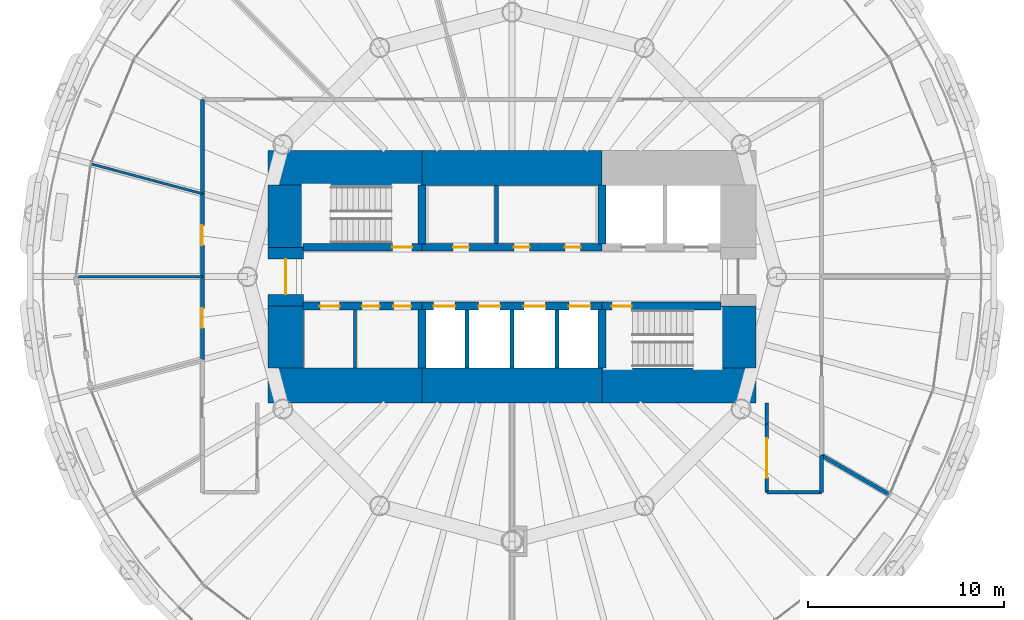
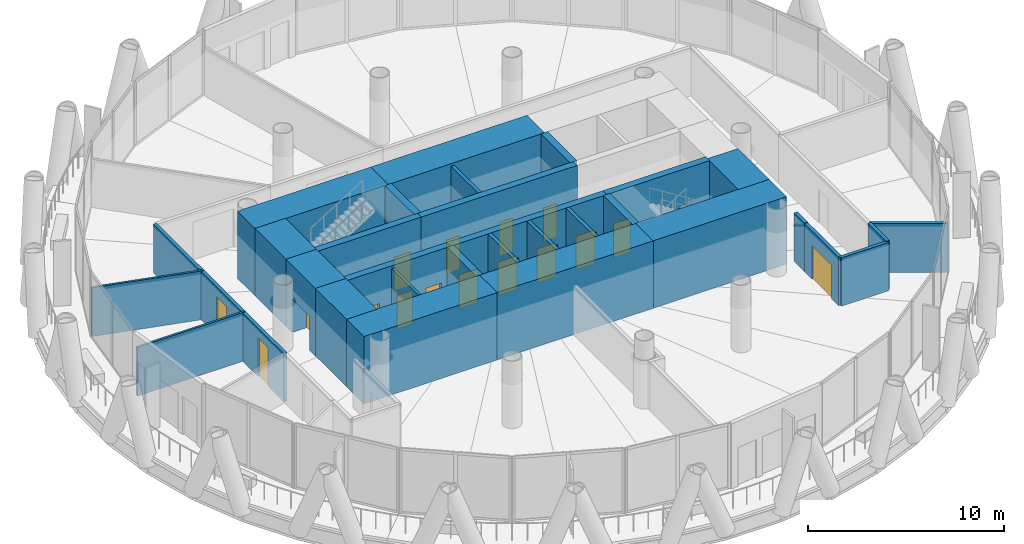
# One storey, part 10 of 15: 33 walls, 16 doors, 16 openings.
"""IFC4 building model written with IfcOpenShell, lengths in metres."""

from ifc_helpers import new_model, si_unit, direction, frame, frame_2d, origin, place, context, subcontext, project, spatial, rectangle, extrude, material, layer, layer_set, type_object, element, fill, save


model = new_model("IFC4")

# Units and contexts
model_context = context("Model", 3, precision=1e-05, world=origin(), true_north=direction((0.0, 1.0)))
body_context = subcontext(model_context, "Body", "Model", "MODEL_VIEW")
ifc_project = project(units=[si_unit("LENGTHUNIT", "METRE"), si_unit("AREAUNIT", "SQUARE_METRE"), si_unit("VOLUMEUNIT", "CUBIC_METRE"), si_unit("PLANEANGLEUNIT", "RADIAN"), si_unit("MASSUNIT", "GRAM", prefix="KILO")], contexts=[model_context])

# Site, building, storey
site_placement = place(None, origin())
site = spatial("IfcSite", under=ifc_project, at=site_placement, CompositionType="ELEMENT")
building_placement = place(site_placement, origin())
building = spatial("IfcBuilding", under=site, at=building_placement, Name="Qaws Media Tower", CompositionType="ELEMENT")
storey_placement = place(building_placement, frame((0.0, 0.0, 164.60009765625)))
storey = spatial("IfcBuildingStorey", under=building, at=storey_placement, Name="L37", CompositionType="ELEMENT", Elevation=164.60009765625)

# Wall, opening, door
ifc_material_1 = material(Name="Concrete C60/75", Category="concrete")
ifc_layer_1 = layer(ifc_material_1, 0.39990234375)
ifc_layer_set_1 = layer_set([ifc_layer_1], Name="Core inner wall 400")
wall_type_1 = type_object("IfcWallType", Name="Core inner wall 400", PredefinedType="SHEAR", material=ifc_layer_set_1)
wall_1_placement = place(storey_placement, frame((49.330078125, 51.5, 0.0), z_axis=(0.0, 0.0, 1.0), x_axis=(1.0, 0.0, 0.0)))
wall_1 = element("IfcWall", 1, at=wall_1_placement, inside=storey, type_object=wall_type_1, Name="W321 SW4 core wall SPNW L37", PredefinedType="SHEAR", context=body_context, shape_type="SweptSolid", body=[
    extrude(rectangle(XDim=6.06982421875, YDim=0.39990234375, at=frame_2d((3.034912109375, 0.0))), origin(), (0.0, 0.0, 1.0), 4.199951171875),
])
opening_1_placement = place(wall_1_placement, frame((4.570068359375, 0.0, 0.0)))
opening_1 = element("IfcOpeningElement", 2, at=opening_1_placement, cuts=wall_1, Name="Opening D1", PredefinedType="OPENING", context=body_context, shape_type="SweptSolid", body=[
    extrude(rectangle(XDim=1.0, YDim=2.10009765625, at=frame_2d((0.5, 1.050048828125))), frame((0.0, 0.2099609375, 0.0), z_axis=(0.0, -1.0, 0.0), x_axis=(1.0, 0.0, 0.0)), (0.0, 0.0, 1.0), 0.419921875),
])
ifc_material_2 = material(Name="Steel, fire rated", Category="steel")
door_type_1 = type_object("IfcDoorType", Name="Stair door 1000 FD120", OperationType="SINGLE_SWING_LEFT", PredefinedType="DOOR", material=ifc_material_2)
door_1_placement = place(opening_1_placement, origin())
door_1 = element("IfcDoor", 3, at=door_1_placement, inside=storey, type_object=door_type_1, Name="D1 stair S1 door L37 in wall W321", OperationType="SINGLE_SWING_LEFT", OverallHeight=2.10009765625, OverallWidth=1.0, PredefinedType="DOOR", context=body_context, shape_type="SweptSolid", body=[
    extrude(rectangle(XDim=1.0, YDim=2.10009765625, at=frame_2d((0.5, 1.050048828125))), frame((0.0, 0.02490234375, 0.0), z_axis=(0.0, -1.0, 0.0), x_axis=(1.0, 0.0, 0.0)), (0.0, 0.0, 1.0), 0.050048828125),
])
fill(opening_1, door_1)

# Wall, openings, doors
wall_2_placement = place(storey_placement, frame((55.39990234375, 51.5, 0.0), z_axis=(0.0, 0.0, 1.0), x_axis=(1.0, 0.0, 0.0)))
wall_2 = element("IfcWall", 4, at=wall_2_placement, inside=storey, type_object=wall_type_1, Name="W314 SW4 core wall SPN L37", PredefinedType="SHEAR", context=body_context, shape_type="SweptSolid", body=[
    extrude(rectangle(XDim=9.2001953125, YDim=0.39990234375, at=frame_2d((4.60009765625, 0.0))), origin(), (0.0, 0.0, 1.0), 4.199951171875),
])
opening_2_placement = place(wall_2_placement, frame((1.60009765625, 0.0, 0.0)))
opening_2 = element("IfcOpeningElement", 5, at=opening_2_placement, cuts=wall_2, Name="Opening D23", PredefinedType="OPENING", context=body_context, shape_type="SweptSolid", body=[
    extrude(rectangle(XDim=0.800048828125, YDim=2.10009765625, at=frame_2d((0.39990234375, 1.050048828125))), frame((0.0, 0.2099609375, 0.0), z_axis=(0.0, -1.0, 0.0), x_axis=(1.0, 0.0, 0.0)), (0.0, 0.0, 1.0), 0.419921875),
])
opening_3_placement = place(wall_2_placement, frame((4.699951171875, 0.0, 0.0)))
opening_3 = element("IfcOpeningElement", 6, at=opening_3_placement, cuts=wall_2, Name="Opening D23", PredefinedType="OPENING", context=body_context, shape_type="SweptSolid", body=[
    extrude(rectangle(XDim=0.800048828125, YDim=2.10009765625, at=frame_2d((0.39990234375, 1.050048828125))), frame((0.0, 0.2099609375, 0.0), z_axis=(0.0, -1.0, 0.0), x_axis=(1.0, 0.0, 0.0)), (0.0, 0.0, 1.0), 0.419921875),
])
opening_4_placement = place(wall_2_placement, frame((7.300048828125, 0.0, 0.0)))
opening_4 = element("IfcOpeningElement", 7, at=opening_4_placement, cuts=wall_2, Name="Opening D23", PredefinedType="OPENING", context=body_context, shape_type="SweptSolid", body=[
    extrude(rectangle(XDim=0.800048828125, YDim=2.10009765625, at=frame_2d((0.39990234375, 1.050048828125))), frame((0.0, 0.2099609375, 0.0), z_axis=(0.0, -1.0, 0.0), x_axis=(1.0, 0.0, 0.0)), (0.0, 0.0, 1.0), 0.419921875),
])
ifc_material_3 = material(Name="Steel, fire rated", Category="steel")
door_type_2 = type_object("IfcDoorType", Name="Core room door 800x2100", OperationType="SINGLE_SWING_LEFT", PredefinedType="DOOR", material=ifc_material_3)
door_2_placement = place(opening_2_placement, origin())
door_2 = element("IfcDoor", 8, at=door_2_placement, inside=storey, type_object=door_type_2, Name="D23 Ladies toilets door L37 in wall W314", OperationType="SINGLE_SWING_LEFT", OverallHeight=2.10009765625, OverallWidth=0.800048828125, PredefinedType="DOOR", context=body_context, shape_type="SweptSolid", body=[
    extrude(rectangle(XDim=0.800048828125, YDim=2.10009765625, at=frame_2d((0.39990234375, 1.050048828125))), frame((0.0, 0.02490234375, 0.0), z_axis=(0.0, -1.0, 0.0), x_axis=(1.0, 0.0, 0.0)), (0.0, 0.0, 1.0), 0.050048828125),
])
fill(opening_2, door_2)
door_3_placement = place(opening_3_placement, origin())
door_3 = element("IfcDoor", 9, at=door_3_placement, inside=storey, type_object=door_type_2, Name="D23 Gents toilets door L37 2 in wall W314", OperationType="SINGLE_SWING_LEFT", OverallHeight=2.10009765625, OverallWidth=0.800048828125, PredefinedType="DOOR", context=body_context, shape_type="SweptSolid", body=[
    extrude(rectangle(XDim=0.800048828125, YDim=2.10009765625, at=frame_2d((0.39990234375, 1.050048828125))), frame((0.0, 0.02490234375, 0.0), z_axis=(0.0, -1.0, 0.0), x_axis=(1.0, 0.0, 0.0)), (0.0, 0.0, 1.0), 0.050048828125),
])
fill(opening_3, door_3)
door_4_placement = place(opening_4_placement, origin())
door_4 = element("IfcDoor", 10, at=door_4_placement, inside=storey, type_object=door_type_2, Name="D23 Gents toilets door L37 3 in wall W314", OperationType="SINGLE_SWING_LEFT", OverallHeight=2.10009765625, OverallWidth=0.800048828125, PredefinedType="DOOR", context=body_context, shape_type="SweptSolid", body=[
    extrude(rectangle(XDim=0.800048828125, YDim=2.10009765625, at=frame_2d((0.39990234375, 1.050048828125))), frame((0.0, 0.02490234375, 0.0), z_axis=(0.0, -1.0, 0.0), x_axis=(1.0, 0.0, 0.0)), (0.0, 0.0, 1.0), 0.050048828125),
])
fill(opening_4, door_4)

wall_3_placement = place(storey_placement, frame((49.330078125, 48.5, 0.0), z_axis=(0.0, 0.0, 1.0), x_axis=(1.0, 0.0, 0.0)))
wall_3 = element("IfcWall", 11, at=wall_3_placement, inside=storey, type_object=wall_type_1, Name="W320 SW4 core wall SPSW L37", PredefinedType="SHEAR", context=body_context, shape_type="SweptSolid", body=[
    extrude(rectangle(XDim=6.06982421875, YDim=0.39990234375, at=frame_2d((3.034912109375, 0.0))), origin(), (0.0, 0.0, 1.0), 4.199951171875),
])
opening_5_placement = place(wall_3_placement, frame((0.8701171875, 0.0, 0.0)))
opening_5 = element("IfcOpeningElement", 12, at=opening_5_placement, cuts=wall_3, Name="Opening D4", PredefinedType="OPENING", context=body_context, shape_type="SweptSolid", body=[
    extrude(rectangle(XDim=1.0, YDim=2.10009765625, at=frame_2d((0.5, 1.050048828125))), frame((0.0, 0.2099609375, 0.0), z_axis=(0.0, -1.0, 0.0), x_axis=(1.0, 0.0, 0.0)), (0.0, 0.0, 1.0), 0.419921875),
])
opening_6_placement = place(wall_3_placement, frame((3.02001953125, 0.0, 0.0)))
opening_6 = element("IfcOpeningElement", 13, at=opening_6_placement, cuts=wall_3, Name="Opening D3", PredefinedType="OPENING", context=body_context, shape_type="SweptSolid", body=[
    extrude(rectangle(XDim=0.89990234375, YDim=2.10009765625, at=frame_2d((0.449951171875, 1.050048828125))), frame((0.0, 0.2099609375, 0.0), z_axis=(0.0, -1.0, 0.0), x_axis=(1.0, 0.0, 0.0)), (0.0, 0.0, 1.0), 0.419921875),
])
opening_7_placement = place(wall_3_placement, frame((4.6201171875, 0.0, 0.0)))
opening_7 = element("IfcOpeningElement", 14, at=opening_7_placement, cuts=wall_3, Name="Opening D3", PredefinedType="OPENING", context=body_context, shape_type="SweptSolid", body=[
    extrude(rectangle(XDim=0.89990234375, YDim=2.10009765625, at=frame_2d((0.449951171875, 1.050048828125))), frame((0.0, 0.2099609375, 0.0), z_axis=(0.0, -1.0, 0.0), x_axis=(1.0, 0.0, 0.0)), (0.0, 0.0, 1.0), 0.419921875),
])
ifc_material_4 = material(Name="Timber veneered", Category="wood")
door_type_3 = type_object("IfcDoorType", Name="Accessible WC door 1000", OperationType="SLIDING_TO_LEFT", PredefinedType="DOOR", material=ifc_material_4)
door_5_placement = place(opening_5_placement, origin())
door_5 = element("IfcDoor", 15, at=door_5_placement, inside=storey, type_object=door_type_3, Name="D4 toilet door 1 L37 in wall W320", OperationType="SLIDING_TO_LEFT", OverallHeight=2.10009765625, OverallWidth=1.0, PredefinedType="DOOR", context=body_context, shape_type="SweptSolid", body=[
    extrude(rectangle(XDim=1.0, YDim=2.10009765625, at=frame_2d((0.5, 1.050048828125))), frame((0.0, 0.02490234375, 0.0), z_axis=(0.0, -1.0, 0.0), x_axis=(1.0, 0.0, 0.0)), (0.0, 0.0, 1.0), 0.050048828125),
])
fill(opening_5, door_5)
ifc_material_5 = material(Name="Timber veneered", Category="wood")
door_type_4 = type_object("IfcDoorType", Name="Toilet door 900", OperationType="SINGLE_SWING_RIGHT", PredefinedType="DOOR", material=ifc_material_5)
door_6_placement = place(opening_6_placement, origin())
door_6 = element("IfcDoor", 16, at=door_6_placement, inside=storey, type_object=door_type_4, Name="D3 toilet door 2 L37 in wall W320", OperationType="SINGLE_SWING_RIGHT", OverallHeight=2.10009765625, OverallWidth=0.89990234375, PredefinedType="DOOR", context=body_context, shape_type="SweptSolid", body=[
    extrude(rectangle(XDim=0.89990234375, YDim=2.10009765625, at=frame_2d((0.449951171875, 1.050048828125))), frame((0.0, 0.02490234375, 0.0), z_axis=(0.0, -1.0, 0.0), x_axis=(1.0, 0.0, 0.0)), (0.0, 0.0, 1.0), 0.050048828125),
])
fill(opening_6, door_6)
door_7_placement = place(opening_7_placement, origin())
door_7 = element("IfcDoor", 17, at=door_7_placement, inside=storey, type_object=door_type_4, Name="D3 toilet door 3 L37 in wall W320", OperationType="SINGLE_SWING_RIGHT", OverallHeight=2.10009765625, OverallWidth=0.89990234375, PredefinedType="DOOR", context=body_context, shape_type="SweptSolid", body=[
    extrude(rectangle(XDim=0.89990234375, YDim=2.10009765625, at=frame_2d((0.449951171875, 1.050048828125))), frame((0.0, 0.02490234375, 0.0), z_axis=(0.0, -1.0, 0.0), x_axis=(1.0, 0.0, 0.0)), (0.0, 0.0, 1.0), 0.050048828125),
])
fill(opening_7, door_7)

wall_4_placement = place(storey_placement, frame((55.39990234375, 48.5, 0.0), z_axis=(0.0, 0.0, 1.0), x_axis=(1.0, 0.0, 0.0)))
wall_4 = element("IfcWall", 18, at=wall_4_placement, inside=storey, type_object=wall_type_1, Name="W313 SW4 core wall SPS L37", PredefinedType="SHEAR", context=body_context, shape_type="SweptSolid", body=[
    extrude(rectangle(XDim=9.2001953125, YDim=0.39990234375, at=frame_2d((4.60009765625, 0.0))), origin(), (0.0, 0.0, 1.0), 4.199951171875),
])
opening_8_placement = place(wall_4_placement, frame((0.60009765625, 0.0, 0.0)))
opening_8 = element("IfcOpeningElement", 19, at=opening_8_placement, cuts=wall_4, Name="Opening LD", PredefinedType="OPENING", context=body_context, shape_type="SweptSolid", body=[
    extrude(rectangle(XDim=1.10009765625, YDim=2.10009765625, at=frame_2d((0.550048828125, 1.050048828125))), frame((0.0, 0.2099609375, 0.0), z_axis=(0.0, -1.0, 0.0), x_axis=(1.0, 0.0, 0.0)), (0.0, 0.0, 1.0), 0.419921875),
])
opening_9_placement = place(wall_4_placement, frame((2.89990234375, 0.0, 0.0)))
opening_9 = element("IfcOpeningElement", 20, at=opening_9_placement, cuts=wall_4, Name="Opening LD", PredefinedType="OPENING", context=body_context, shape_type="SweptSolid", body=[
    extrude(rectangle(XDim=1.10009765625, YDim=2.10009765625, at=frame_2d((0.550048828125, 1.050048828125))), frame((0.0, 0.2099609375, 0.0), z_axis=(0.0, -1.0, 0.0), x_axis=(1.0, 0.0, 0.0)), (0.0, 0.0, 1.0), 0.419921875),
])
opening_10_placement = place(wall_4_placement, frame((5.199951171875, 0.0, 0.0)))
opening_10 = element("IfcOpeningElement", 21, at=opening_10_placement, cuts=wall_4, Name="Opening LD", PredefinedType="OPENING", context=body_context, shape_type="SweptSolid", body=[
    extrude(rectangle(XDim=1.10009765625, YDim=2.10009765625, at=frame_2d((0.550048828125, 1.050048828125))), frame((0.0, 0.2099609375, 0.0), z_axis=(0.0, -1.0, 0.0), x_axis=(1.0, 0.0, 0.0)), (0.0, 0.0, 1.0), 0.419921875),
])
opening_11_placement = place(wall_4_placement, frame((7.5, 0.0, 0.0)))
opening_11 = element("IfcOpeningElement", 22, at=opening_11_placement, cuts=wall_4, Name="Opening LD", PredefinedType="OPENING", context=body_context, shape_type="SweptSolid", body=[
    extrude(rectangle(XDim=1.10009765625, YDim=2.10009765625, at=frame_2d((0.550048828125, 1.050048828125))), frame((0.0, 0.2099609375, 0.0), z_axis=(0.0, -1.0, 0.0), x_axis=(1.0, 0.0, 0.0)), (0.0, 0.0, 1.0), 0.419921875),
])
ifc_material_6 = material(Name="Steel, fire rated", Category="steel")
door_type_5 = type_object("IfcDoorType", Name="Lift landing door 1100", OperationType="SLIDING_TO_LEFT", PredefinedType="DOOR", material=ifc_material_6)
door_8_placement = place(opening_8_placement, origin())
door_8 = element("IfcDoor", 23, at=door_8_placement, inside=storey, type_object=door_type_5, Name="P5 landing door L37 in wall W313", OperationType="SLIDING_TO_LEFT", OverallHeight=2.10009765625, OverallWidth=1.10009765625, PredefinedType="DOOR", context=body_context, shape_type="SweptSolid", body=[
    extrude(rectangle(XDim=1.10009765625, YDim=2.10009765625, at=frame_2d((0.550048828125, 1.050048828125))), frame((0.0, 0.02490234375, 0.0), z_axis=(0.0, -1.0, 0.0), x_axis=(1.0, 0.0, 0.0)), (0.0, 0.0, 1.0), 0.050048828125),
])
fill(opening_8, door_8)
door_9_placement = place(opening_9_placement, origin())
door_9 = element("IfcDoor", 24, at=door_9_placement, inside=storey, type_object=door_type_5, Name="P6 landing door L37 in wall W313", OperationType="SLIDING_TO_LEFT", OverallHeight=2.10009765625, OverallWidth=1.10009765625, PredefinedType="DOOR", context=body_context, shape_type="SweptSolid", body=[
    extrude(rectangle(XDim=1.10009765625, YDim=2.10009765625, at=frame_2d((0.550048828125, 1.050048828125))), frame((0.0, 0.02490234375, 0.0), z_axis=(0.0, -1.0, 0.0), x_axis=(1.0, 0.0, 0.0)), (0.0, 0.0, 1.0), 0.050048828125),
])
fill(opening_9, door_9)
door_10_placement = place(opening_10_placement, origin())
door_10 = element("IfcDoor", 25, at=door_10_placement, inside=storey, type_object=door_type_5, Name="P7 landing door L37 in wall W313", OperationType="SLIDING_TO_LEFT", OverallHeight=2.10009765625, OverallWidth=1.10009765625, PredefinedType="DOOR", context=body_context, shape_type="SweptSolid", body=[
    extrude(rectangle(XDim=1.10009765625, YDim=2.10009765625, at=frame_2d((0.550048828125, 1.050048828125))), frame((0.0, 0.02490234375, 0.0), z_axis=(0.0, -1.0, 0.0), x_axis=(1.0, 0.0, 0.0)), (0.0, 0.0, 1.0), 0.050048828125),
])
fill(opening_10, door_10)
door_11_placement = place(opening_11_placement, origin())
door_11 = element("IfcDoor", 26, at=door_11_placement, inside=storey, type_object=door_type_5, Name="P8 landing door L37 in wall W313", OperationType="SLIDING_TO_LEFT", OverallHeight=2.10009765625, OverallWidth=1.10009765625, PredefinedType="DOOR", context=body_context, shape_type="SweptSolid", body=[
    extrude(rectangle(XDim=1.10009765625, YDim=2.10009765625, at=frame_2d((0.550048828125, 1.050048828125))), frame((0.0, 0.02490234375, 0.0), z_axis=(0.0, -1.0, 0.0), x_axis=(1.0, 0.0, 0.0)), (0.0, 0.0, 1.0), 0.050048828125),
])
fill(opening_11, door_11)

# Wall, opening, door
wall_5_placement = place(storey_placement, frame((64.60009765625, 48.5, 0.0), z_axis=(0.0, 0.0, 1.0), x_axis=(1.0, 0.0, 0.0)))
wall_5 = element("IfcWall", 27, at=wall_5_placement, inside=storey, type_object=wall_type_1, Name="W325 SW4 core wall SPSE L37", PredefinedType="SHEAR", context=body_context, shape_type="SweptSolid", body=[
    extrude(rectangle(XDim=6.06982421875, YDim=0.39990234375, at=frame_2d((3.034912109375, 0.0))), origin(), (0.0, 0.0, 1.0), 4.199951171875),
])
opening_12_placement = place(wall_5_placement, frame((0.5, 0.0, 0.0)))
opening_12 = element("IfcOpeningElement", 28, at=opening_12_placement, cuts=wall_5, Name="Opening D1", PredefinedType="OPENING", context=body_context, shape_type="SweptSolid", body=[
    extrude(rectangle(XDim=1.0, YDim=2.10009765625, at=frame_2d((0.5, 1.050048828125))), frame((0.0, 0.2099609375, 0.0), z_axis=(0.0, -1.0, 0.0), x_axis=(1.0, 0.0, 0.0)), (0.0, 0.0, 1.0), 0.419921875),
])
door_12_placement = place(opening_12_placement, origin())
door_12 = element("IfcDoor", 29, at=door_12_placement, inside=storey, type_object=door_type_1, Name="D1 stair S2 door L37 in wall W325", OperationType="SINGLE_SWING_LEFT", OverallHeight=2.10009765625, OverallWidth=1.0, PredefinedType="DOOR", context=body_context, shape_type="SweptSolid", body=[
    extrude(rectangle(XDim=1.0, YDim=2.10009765625, at=frame_2d((0.5, 1.050048828125))), frame((0.0, 0.02490234375, 0.0), z_axis=(0.0, -1.0, 0.0), x_axis=(1.0, 0.0, 0.0)), (0.0, 0.0, 1.0), 0.050048828125),
])
fill(opening_12, door_12)

# Walls
for number, where, z_axis, x_axis, name in (
    (30, (55.39990234375, 51.679931640625, 0.0), (0.0, 0.0, 1.0), (0.0, 1.0, 0.0), "W323 SW4 core wall XNW L37"),
    (31, (64.60009765625, 51.679931640625, 0.0), (0.0, 0.0, 1.0), (0.0, 1.0, 0.0), "W327 SW4 core wall XNE L37"),
    (32, (55.39990234375, 48.320068359375, 0.0), (0.0, 0.0, 1.0), (0.0, -1.0, 0.0), "W322 SW4 core wall XSW L37"),
    (33, (64.60009765625, 48.320068359375, 0.0), (0.0, 0.0, 1.0), (0.0, -1.0, 0.0), "W324 SW4 core wall XSE L37"),
):
    element("IfcWall", number, at=place(storey_placement, frame(where, z_axis=z_axis, x_axis=x_axis)), inside=storey, type_object=wall_type_1, Name=name, PredefinedType="SHEAR", context=body_context, shape_type="SweptSolid", body=[
        extrude(rectangle(XDim=2.989990234375, YDim=0.39990234375, at=frame_2d((1.4951171875, 0.0))), origin(), (0.0, 0.0, 1.0), 4.199951171875),
    ])
ifc_material_7 = material(Name="Concrete C60/75", Category="concrete")
ifc_layer_2 = layer(ifc_material_7, 1.800048828125)
ifc_layer_set_2 = layer_set([ifc_layer_2], Name="Core wall 1800")
wall_type_2 = type_object("IfcWallType", Name="Core wall 1800", PredefinedType="SHEAR", material=ifc_layer_set_2)
wall_6_placement = place(storey_placement, frame((47.550048828125, 55.550048828125, 0.0), z_axis=(0.0, 0.0, 1.0), x_axis=(1.0, 0.0, 0.0)))
element("IfcWall", 34, at=wall_6_placement, inside=storey, type_object=wall_type_2, Name="W417 SW11 core wall NW L37", PredefinedType="SHEAR", context=body_context, shape_type="SweptSolid", body=[
    extrude(rectangle(XDim=7.849853515625, YDim=1.800048828125, at=frame_2d((3.9248046875, 0.0))), origin(), (0.0, 0.0, 1.0), 4.199951171875),
])
wall_7_placement = place(storey_placement, frame((55.39990234375, 55.550048828125, 0.0), z_axis=(0.0, 0.0, 1.0), x_axis=(1.0, 0.0, 0.0)))
element("IfcWall", 35, at=wall_7_placement, inside=storey, type_object=wall_type_2, Name="W421 SW11 core wall N L37", PredefinedType="SHEAR", context=body_context, shape_type="SweptSolid", body=[
    extrude(rectangle(XDim=9.2001953125, YDim=1.800048828125, at=frame_2d((4.60009765625, 0.0))), origin(), (0.0, 0.0, 1.0), 4.199951171875),
])
wall_8_placement = place(storey_placement, frame((47.550048828125, 44.449951171875, 0.0), z_axis=(0.0, 0.0, 1.0), x_axis=(1.0, 0.0, 0.0)))
element("IfcWall", 36, at=wall_8_placement, inside=storey, type_object=wall_type_2, Name="W416 SW11 core wall SW L37", PredefinedType="SHEAR", context=body_context, shape_type="SweptSolid", body=[
    extrude(rectangle(XDim=7.849853515625, YDim=1.800048828125, at=frame_2d((3.9248046875, 0.0))), origin(), (0.0, 0.0, 1.0), 4.199951171875),
])
wall_9_placement = place(storey_placement, frame((55.39990234375, 44.449951171875, 0.0), z_axis=(0.0, 0.0, 1.0), x_axis=(1.0, 0.0, 0.0)))
element("IfcWall", 37, at=wall_9_placement, inside=storey, type_object=wall_type_2, Name="W420 SW11 core wall S L37", PredefinedType="SHEAR", context=body_context, shape_type="SweptSolid", body=[
    extrude(rectangle(XDim=9.2001953125, YDim=1.800048828125, at=frame_2d((4.60009765625, 0.0))), origin(), (0.0, 0.0, 1.0), 4.199951171875),
])
wall_10_placement = place(storey_placement, frame((64.60009765625, 44.449951171875, 0.0), z_axis=(0.0, 0.0, 1.0), x_axis=(1.0, 0.0, 0.0)))
element("IfcWall", 38, at=wall_10_placement, inside=storey, type_object=wall_type_2, Name="W422 SW11 core wall SE L37", PredefinedType="SHEAR", context=body_context, shape_type="SweptSolid", body=[
    extrude(rectangle(XDim=7.849853515625, YDim=1.800048828125, at=frame_2d((3.9248046875, 0.0))), origin(), (0.0, 0.0, 1.0), 4.199951171875),
])
for number, where, z_axis, x_axis, name in (
    (39, (71.550048828125, 45.330078125, 0.0), (0.0, 0.0, 1.0), (0.0, 1.0, 0.0), "W424 SW11 core wall ES L37"),
    (40, (48.449951171875, 45.330078125, 0.0), (0.0, 0.0, 1.0), (0.0, 1.0, 0.0), "W418 SW11 core wall WS L37"),
):
    element("IfcWall", number, at=place(storey_placement, frame(where, z_axis=z_axis, x_axis=x_axis)), inside=storey, type_object=wall_type_2, Name=name, PredefinedType="SHEAR", context=body_context, shape_type="SweptSolid", body=[
        extrude(rectangle(XDim=3.169921875, YDim=1.800048828125, at=frame_2d((1.5849609375, 0.0))), origin(), (0.0, 0.0, 1.0), 4.199951171875),
    ])

# Wall, opening, door
wall_11_placement = place(storey_placement, frame((48.449951171875, 48.5, 0.0), z_axis=(0.0, 0.0, 1.0), x_axis=(0.0, 1.0, 0.0)))
wall_11 = element("IfcWall", 41, at=wall_11_placement, inside=storey, type_object=wall_type_2, Name="W426 SW11 core wall W L37", PredefinedType="SHEAR", context=body_context, shape_type="SweptSolid", body=[
    extrude(rectangle(XDim=3.0, YDim=1.800048828125, at=frame_2d((1.5, 0.0))), origin(), (0.0, 0.0, 1.0), 4.199951171875),
])
opening_13_placement = place(wall_11_placement, frame((0.60009765625, 0.0, 0.0)))
opening_13 = element("IfcOpeningElement", 42, at=opening_13_placement, cuts=wall_11, Name="Opening D2", PredefinedType="OPENING", context=body_context, shape_type="SweptSolid", body=[
    extrude(rectangle(XDim=1.800048828125, YDim=2.10009765625, at=frame_2d((0.89990234375, 1.050048828125))), frame((0.0, 0.909912109375, 0.0), z_axis=(0.0, -1.0, 0.0), x_axis=(1.0, 0.0, 0.0)), (0.0, 0.0, 1.0), 1.820068359375),
])
ifc_material_8 = material(Name="Steel and glass, fire rated", Category="steel")
door_type_6 = type_object("IfcDoorType", Name="Lobby door pair 1800 FD60", OperationType="DOUBLE_DOOR_DOUBLE_SWING", PredefinedType="DOOR", material=ifc_material_8)
door_13_placement = place(opening_13_placement, origin())
door_13 = element("IfcDoor", 43, at=door_13_placement, inside=storey, type_object=door_type_6, Name="D2 core lobby door W L37 in wall W426", OperationType="DOUBLE_DOOR_DOUBLE_SWING", OverallHeight=2.10009765625, OverallWidth=1.800048828125, PredefinedType="DOOR", context=body_context, shape_type="SweptSolid", body=[
    extrude(rectangle(XDim=1.800048828125, YDim=2.10009765625, at=frame_2d((0.89990234375, 1.050048828125))), frame((0.0, 0.02490234375, 0.0), z_axis=(0.0, -1.0, 0.0), x_axis=(1.0, 0.0, 0.0)), (0.0, 0.0, 1.0), 0.050048828125),
])
fill(opening_13, door_13)

# Walls
wall_12_placement = place(storey_placement, frame((48.449951171875, 51.5, 0.0), z_axis=(0.0, 0.0, 1.0), x_axis=(0.0, 1.0, 0.0)))
element("IfcWall", 44, at=wall_12_placement, inside=storey, type_object=wall_type_2, Name="W419 SW11 core wall WN L37", PredefinedType="SHEAR", context=body_context, shape_type="SweptSolid", body=[
    extrude(rectangle(XDim=3.169921875, YDim=1.800048828125, at=frame_2d((1.5849609375, 0.0))), origin(), (0.0, 0.0, 1.0), 4.199951171875),
])
ifc_material_9 = material(Name="Two layers gypsum board each side on 75 studs, insulated", Category="gypsum")
ifc_layer_3 = layer(ifc_material_9, 0.125)
ifc_layer_set_3 = layer_set([ifc_layer_3], Name="Meeting room partition 125 Rw 48")
wall_type_3 = type_object("IfcWallType", Name="Meeting room partition 125 Rw 48", PredefinedType="PARTITIONING", material=ifc_layer_set_3)
wall_13_placement = place(storey_placement, frame((44.197509765625, 54.234375, 0.0), z_axis=(0.0, 0.0, 1.0), x_axis=(-0.965932963046, 0.258792408894, 0.0)))
element("IfcWall", 45, at=wall_13_placement, inside=storey, type_object=wall_type_3, Name="W573 IW5 partition L37", PredefinedType="PARTITIONING", context=body_context, shape_type="SweptSolid", body=[
    extrude(rectangle(XDim=5.849853515625, YDim=0.125, at=frame_2d((2.9248046875, 0.0))), origin(), (0.0, 0.0, 1.0), 3.039794921875),
])
wall_14_placement = place(storey_placement, frame((44.199951171875, 50.0, 0.0), z_axis=(0.0, 0.0, 1.0), x_axis=(-1.0, 0.0, 0.0)))
element("IfcWall", 46, at=wall_14_placement, inside=storey, type_object=wall_type_3, Name="W574 IW5 partition L37", PredefinedType="PARTITIONING", context=body_context, shape_type="SweptSolid", body=[
    extrude(rectangle(XDim=6.31005859375, YDim=0.125, at=frame_2d((3.155029296875, 0.0))), origin(), (0.0, 0.0, 1.0), 3.039794921875),
])
ifc_material_10 = material(Name="Gypsum board on galvanised metal studs, acoustic double stud, deflection head", Category="gypsum")
ifc_layer_4 = layer(ifc_material_10, 0.199951171875)
ifc_layer_set_4 = layer_set([ifc_layer_4], Name="Room partition 200")
wall_type_4 = type_object("IfcWallType", Name="Room partition 200", PredefinedType="PARTITIONING", material=ifc_layer_set_4)
wall_15_placement = place(storey_placement, frame((75.800048828125, 40.8779296875, 0.0), z_axis=(0.0, 0.0, 1.0), x_axis=(0.0, -1.0, 0.0)))
element("IfcWall", 47, at=wall_15_placement, inside=storey, type_object=wall_type_4, Name="W1232 IW3 partition L37", PredefinedType="PARTITIONING", context=body_context, shape_type="SweptSolid", body=[
    extrude(rectangle(XDim=1.8779296875, YDim=0.199951171875, at=frame_2d((0.93896484375, 0.0))), origin(), (0.0, 0.0, 1.0), 3.039794921875),
])
wall_16_placement = place(storey_placement, frame((75.800048828125, 39.0, 0.0), z_axis=(0.0, 0.0, 1.0), x_axis=(-1.0, 0.0, 0.0)))
element("IfcWall", 48, at=wall_16_placement, inside=storey, type_object=wall_type_4, Name="W1381 IW3 partition L37", PredefinedType="PARTITIONING", context=body_context, shape_type="SweptSolid", body=[
    extrude(rectangle(XDim=2.800048828125, YDim=0.199951171875, at=frame_2d((1.39990234375, 0.0))), origin(), (0.0, 0.0, 1.0), 3.011962890625),
])

# Wall, opening, door
wall_17_placement = place(storey_placement, frame((73.0, 39.0, 0.0), z_axis=(0.0, 0.0, 1.0), x_axis=(0.0, 1.0, 0.0)))
wall_17 = element("IfcWall", 49, at=wall_17_placement, inside=storey, type_object=wall_type_4, Name="W1371 IW3 partition L37", PredefinedType="PARTITIONING", context=body_context, shape_type="SweptSolid", body=[
    extrude(rectangle(XDim=3.494384765625, YDim=0.199951171875, at=frame_2d((1.7470703125, 0.0))), origin(), (0.0, 0.0, 1.0), 3.011962890625),
])
opening_14_placement = place(wall_17_placement, frame((0.747314453125, 0.0, 0.0)))
opening_14 = element("IfcOpeningElement", 50, at=opening_14_placement, cuts=wall_17, Name="Opening D6", PredefinedType="OPENING", context=body_context, shape_type="SweptSolid", body=[
    extrude(rectangle(XDim=2.0, YDim=2.10009765625, at=frame_2d((1.0, 1.050048828125))), frame((0.0, 0.10986328125, 0.0), z_axis=(0.0, -1.0, 0.0), x_axis=(1.0, 0.0, 0.0)), (0.0, 0.0, 1.0), 0.219970703125),
])
ifc_material_11 = material(Name="Steel, acoustic, fire rated", Category="steel")
door_type_7 = type_object("IfcDoorType", Name="Room door pair 2000", OperationType="DOUBLE_DOOR_DOUBLE_SWING", PredefinedType="DOOR", material=ifc_material_11)
door_14_placement = place(opening_14_placement, origin())
door_14 = element("IfcDoor", 51, at=door_14_placement, inside=storey, type_object=door_type_7, Name="D6 HR office door L37 in wall W1371", OperationType="DOUBLE_DOOR_DOUBLE_SWING", OverallHeight=2.10009765625, OverallWidth=2.0, PredefinedType="DOOR", context=body_context, shape_type="SweptSolid", body=[
    extrude(rectangle(XDim=2.0, YDim=2.10009765625, at=frame_2d((1.0, 1.050048828125))), frame((0.0, 0.02490234375, 0.0), z_axis=(0.0, -1.0, 0.0), x_axis=(1.0, 0.0, 0.0)), (0.0, 0.0, 1.0), 0.050048828125),
])
fill(opening_14, door_14)

# Wall
wall_18_placement = place(storey_placement, frame((73.0, 42.494384765625, 0.0), z_axis=(0.0, 0.0, 1.0), x_axis=(0.0, 1.0, 0.0)))
element("IfcWall", 52, at=wall_18_placement, inside=storey, type_object=wall_type_4, Name="W1229 IW3 partition L37", PredefinedType="PARTITIONING", context=body_context, shape_type="SweptSolid", body=[
    extrude(rectangle(XDim=1.0556640625, YDim=0.199951171875, at=frame_2d((0.52783203125, 0.0))), origin(), (0.0, 0.0, 1.0), 3.039794921875),
])

# Wall, opening, door
wall_19_placement = place(storey_placement, frame((44.199951171875, 45.766357421875, 0.0), z_axis=(0.0, 0.0, 1.0), x_axis=(0.0, 1.0, 0.0)))
wall_19 = element("IfcWall", 53, at=wall_19_placement, inside=storey, type_object=wall_type_4, Name="W1362 IW3 partition L37", PredefinedType="PARTITIONING", context=body_context, shape_type="SweptSolid", body=[
    extrude(rectangle(XDim=4.233642578125, YDim=0.199951171875, at=frame_2d((2.11669921875, 0.0))), origin(), (0.0, 0.0, 1.0), 3.011962890625),
])
opening_15_placement = place(wall_19_placement, frame((1.61669921875, 0.0, 0.0)))
opening_15 = element("IfcOpeningElement", 54, at=opening_15_placement, cuts=wall_19, Name="Opening D13", PredefinedType="OPENING", context=body_context, shape_type="SweptSolid", body=[
    extrude(rectangle(XDim=1.0, YDim=2.39990234375, at=frame_2d((0.5, 1.199951171875))), frame((0.0, 0.10986328125, 0.0), z_axis=(0.0, -1.0, 0.0), x_axis=(1.0, 0.0, 0.0)), (0.0, 0.0, 1.0), 0.219970703125),
])
ifc_material_12 = material(Name="Frameless toughened glass, acoustic seals", Category="glass")
door_type_8 = type_object("IfcDoorType", Name="Glazed meeting room door 1000x2400", OperationType="SINGLE_SWING_LEFT", PredefinedType="DOOR", material=ifc_material_12)
door_15_placement = place(opening_15_placement, origin())
door_15 = element("IfcDoor", 55, at=door_15_placement, inside=storey, type_object=door_type_8, Name="D13 Interview room door L37 in wall W1362", OperationType="SINGLE_SWING_LEFT", OverallHeight=2.39990234375, OverallWidth=1.0, PredefinedType="DOOR", context=body_context, shape_type="SweptSolid", body=[
    extrude(rectangle(XDim=1.0, YDim=2.39990234375, at=frame_2d((0.5, 1.199951171875))), frame((0.0, 0.02490234375, 0.0), z_axis=(0.0, -1.0, 0.0), x_axis=(1.0, 0.0, 0.0)), (0.0, 0.0, 1.0), 0.050048828125),
])
fill(opening_15, door_15)

wall_20_placement = place(storey_placement, frame((44.199951171875, 50.0, 0.0), z_axis=(0.0, 0.0, 1.0), x_axis=(0.0, 1.0, 0.0)))
wall_20 = element("IfcWall", 56, at=wall_20_placement, inside=storey, type_object=wall_type_4, Name="W1363 IW3 partition L37", PredefinedType="PARTITIONING", context=body_context, shape_type="SweptSolid", body=[
    extrude(rectangle(XDim=4.233642578125, YDim=0.199951171875, at=frame_2d((2.11669921875, 0.0))), origin(), (0.0, 0.0, 1.0), 3.011962890625),
])
opening_16_placement = place(wall_20_placement, frame((1.61669921875, 0.0, 0.0)))
opening_16 = element("IfcOpeningElement", 57, at=opening_16_placement, cuts=wall_20, Name="Opening D13", PredefinedType="OPENING", context=body_context, shape_type="SweptSolid", body=[
    extrude(rectangle(XDim=1.0, YDim=2.39990234375, at=frame_2d((0.5, 1.199951171875))), frame((0.0, 0.10986328125, 0.0), z_axis=(0.0, -1.0, 0.0), x_axis=(1.0, 0.0, 0.0)), (0.0, 0.0, 1.0), 0.219970703125),
])
door_16_placement = place(opening_16_placement, origin())
door_16 = element("IfcDoor", 58, at=door_16_placement, inside=storey, type_object=door_type_8, Name="D13 Interview room door L37 in wall W1363", OperationType="SINGLE_SWING_LEFT", OverallHeight=2.39990234375, OverallWidth=1.0, PredefinedType="DOOR", context=body_context, shape_type="SweptSolid", body=[
    extrude(rectangle(XDim=1.0, YDim=2.39990234375, at=frame_2d((0.5, 1.199951171875))), frame((0.0, 0.02490234375, 0.0), z_axis=(0.0, -1.0, 0.0), x_axis=(1.0, 0.0, 0.0)), (0.0, 0.0, 1.0), 0.050048828125),
])
fill(opening_16, door_16)

# Walls
wall_21_placement = place(storey_placement, frame((44.199951171875, 54.233642578125, 0.0), z_axis=(0.0, 0.0, 1.0), x_axis=(0.0, 1.0, 0.0)))
element("IfcWall", 59, at=wall_21_placement, inside=storey, type_object=wall_type_4, Name="W1364 IW3 partition L37", PredefinedType="PARTITIONING", context=body_context, shape_type="SweptSolid", body=[
    extrude(rectangle(XDim=4.81640625, YDim=0.199951171875, at=frame_2d((2.408203125, 0.0))), origin(), (0.0, 0.0, 1.0), 3.011962890625),
])
wall_22_placement = place(storey_placement, frame((75.79638671875, 40.8798828125, 0.0), z_axis=(0.0, 0.0, 1.0), x_axis=(0.866031967744, -0.499988630717, 0.0)))
element("IfcWall", 60, at=wall_22_placement, inside=storey, type_object=wall_type_4, Name="W1380 IW3 partition L37", PredefinedType="PARTITIONING", context=body_context, shape_type="SweptSolid", body=[
    extrude(rectangle(XDim=3.9697265625, YDim=0.199951171875, at=frame_2d((1.98486328125, 0.0))), origin(), (0.0, 0.0, 1.0), 3.039794921875),
])
wall_23_placement = place(storey_placement, frame((59.199951171875, 51.699951171875, 0.0), z_axis=(0.0, 0.0, 1.0), x_axis=(0.0, 1.0, 0.0)))
element("IfcWall", 61, at=wall_23_placement, inside=storey, type_object=wall_type_4, Name="W1284 IW3 core room partition 1 L37", PredefinedType="PARTITIONING", context=body_context, shape_type="SweptSolid", body=[
    extrude(rectangle(XDim=2.949951171875, YDim=0.199951171875, at=frame_2d((1.47509765625, 0.0))), origin(), (0.0, 0.0, 1.0), 4.039794921875),
])
ifc_material_13 = material(Name="Fire-rated gypsum board shaft wall on galvanised metal studs, deflection head", Category="gypsum")
ifc_layer_5 = layer(ifc_material_13, 0.199951171875)
ifc_layer_set_5 = layer_set([ifc_layer_5], Name="Shaft wall 200")
wall_type_5 = type_object("IfcWallType", Name="Shaft wall 200", PredefinedType="PARTITIONING", material=ifc_layer_set_5)
for number, where, z_axis, x_axis, name in (
    (62, (57.699951171875, 45.35009765625, 0.0), (0.0, 0.0, 1.0), (0.0, 1.0, 0.0), "W1860 IW1 shaft wall S1 L37"),
    (63, (60.0, 45.35009765625, 0.0), (0.0, 0.0, 1.0), (0.0, 1.0, 0.0), "W1861 IW1 shaft wall S2 L37"),
    (64, (62.300048828125, 45.35009765625, 0.0), (0.0, 0.0, 1.0), (0.0, 1.0, 0.0), "W1862 IW1 shaft wall S3 L37"),
):
    element("IfcWall", number, at=place(storey_placement, frame(where, z_axis=z_axis, x_axis=x_axis)), inside=storey, type_object=wall_type_5, Name=name, PredefinedType="PARTITIONING", context=body_context, shape_type="SweptSolid", body=[
        extrude(rectangle(XDim=2.949951171875, YDim=0.199951171875, at=frame_2d((1.47509765625, 0.0))), origin(), (0.0, 0.0, 1.0), 4.199951171875),
    ])
ifc_material_14 = material(Name="Gypsum board on galvanised metal studs, deflection head", Category="gypsum")
ifc_layer_6 = layer(ifc_material_14, 0.14990234375)
ifc_layer_set_6 = layer_set([ifc_layer_6], Name="WC partition 150")
wall_type_6 = type_object("IfcWallType", Name="WC partition 150", PredefinedType="PARTITIONING", material=ifc_layer_set_6)
wall_24_placement = place(storey_placement, frame((52.0, 45.35009765625, 0.0), z_axis=(0.0, 0.0, 1.0), x_axis=(0.0, 1.0, 0.0)))
element("IfcWall", 65, at=wall_24_placement, inside=storey, type_object=wall_type_6, Name="W1914 IW2 toilet partition 1 L37", PredefinedType="PARTITIONING", context=body_context, shape_type="SweptSolid", body=[
    extrude(rectangle(XDim=2.949951171875, YDim=0.14990234375, at=frame_2d((1.47509765625, 0.0))), origin(), (0.0, 0.0, 1.0), 4.039794921875),
])

save(model, "model.ifc")
